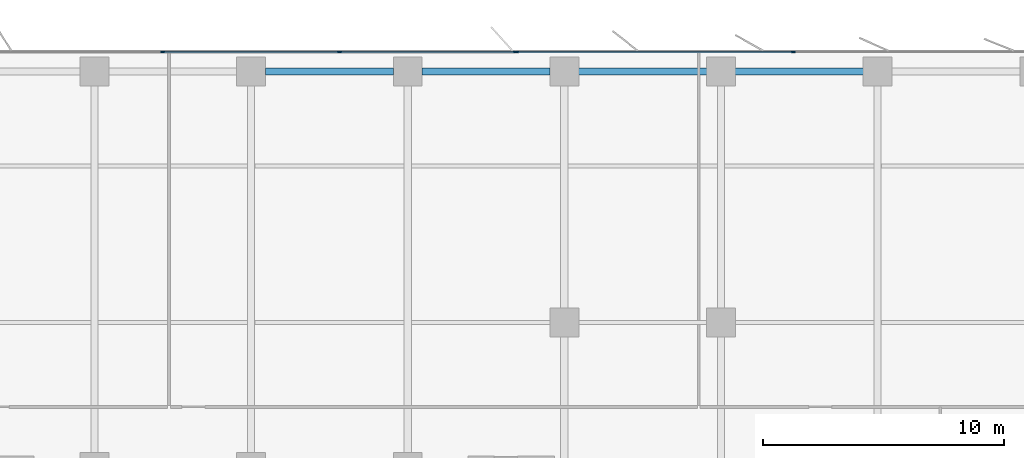
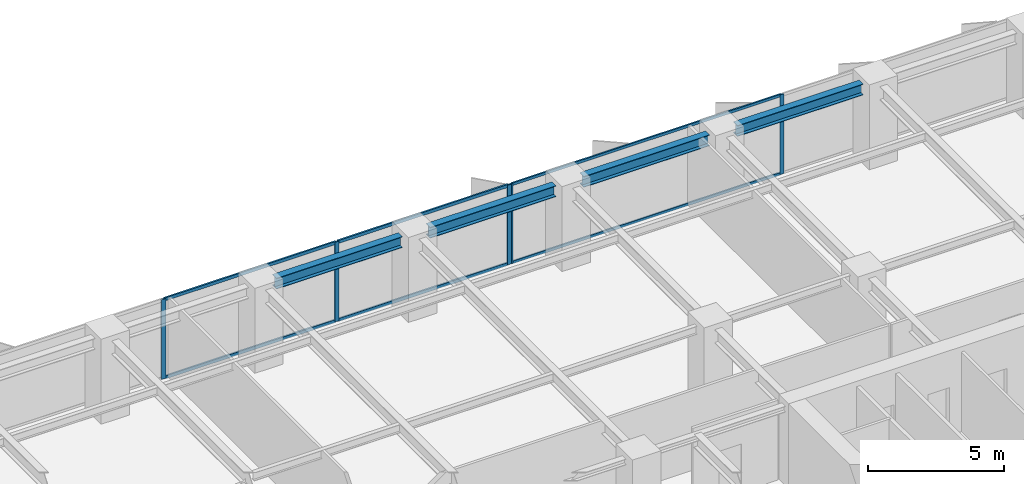
# One storey, part 9 of 20: 11 members, 4 beams, 2 elements without a shape of their own.
"""IFC4 building model written with IfcOpenShell, lengths in metres."""

import ifcopenshell
import ifcopenshell.guid

model = None  # the IFC model being written
_history = None  # IfcOwnerHistory: only IFC2X3 demands one
_inside = {}  # id of a spatial element -> (the spatial element, [elements in it])
_under = {}  # id of a project, library or spatial element -> (it, [spatial elements below it])
_declared = {}  # id of a project -> (the project, [libraries it declares])
_typed = {}  # id of a type object -> (the type object, [elements of that type])
_made_of = {}  # id of a material, layer set ... -> (it, [elements and type objects made of it])


def new_model(schema):
    """Start an empty IFC model of exactly this schema.

    Asked for "IFC4X3", IfcOpenShell would pick the latest addendum, in which some entities
    have other attributes; the version numbers below select the first issue.
    IFC2X3 requires an IfcOwnerHistory on every rooted entity: one is made here for all.
    """
    global model, _history
    if schema == "IFC4X3":
        model = ifcopenshell.file(schema_version=(4, 3, 0, 0))
    else:
        model = ifcopenshell.file(schema=schema)
    _inside.clear()
    _under.clear()
    _declared.clear()
    _typed.clear()
    _made_of.clear()
    _history = None
    if model.schema == "IFC2X3":
        org = make("IfcOrganization", Name="unknown")
        user = make(
            "IfcPersonAndOrganization",
            ThePerson=make("IfcPerson", FamilyName="unknown"),
            TheOrganization=org,
        )
        app = make(
            "IfcApplication",
            ApplicationDeveloper=org,
            Version="unknown",
            ApplicationFullName="unknown",
            ApplicationIdentifier="unknown",
        )
        _history = make(
            "IfcOwnerHistory",
            OwningUser=user,
            OwningApplication=app,
            ChangeAction="ADDED",
            CreationDate=0,
        )
    return model


def make(cls, **values):
    """One entity of the class cls with the attributes given. An attribute that is None is left unset."""
    return model.create_entity(
        cls, **{name: value for name, value in values.items() if value is not None}
    )


def rooted(cls, **values):
    """An entity with a GlobalId (a new one), such as an element, a storey or a relation."""
    return make(cls, GlobalId=ifcopenshell.guid.new(), OwnerHistory=_history, **values)


def si_unit(unit_type, name, prefix=None):
    """IfcSIUnit, for example si_unit("LENGTHUNIT", "METRE", prefix="MILLI")."""
    return make("IfcSIUnit", UnitType=unit_type, Prefix=prefix, Name=name)


def assignment(units):
    """IfcUnitAssignment: the units of a project."""
    return None if units is None else make("IfcUnitAssignment", Units=units)


def point(xyz):
    """IfcCartesianPoint."""
    return None if xyz is None else make("IfcCartesianPoint", Coordinates=xyz)


def direction(xyz):
    """IfcDirection."""
    return None if xyz is None else make("IfcDirection", DirectionRatios=xyz)


def frame(location, z_axis=None, x_axis=None):
    """IfcAxis2Placement3D, a coordinate frame: its origin and axes. An axis left out is left unset."""
    return make(
        "IfcAxis2Placement3D",
        Location=point(location),
        Axis=direction(z_axis),
        RefDirection=direction(x_axis),
    )


def frame_2d(location, x_axis=None):
    """IfcAxis2Placement2D, a coordinate frame in the plane: its origin and x axis."""
    return make(
        "IfcAxis2Placement2D", Location=point(location), RefDirection=direction(x_axis)
    )


def origin():
    """The frame at (0, 0, 0) with its axes left unset."""
    return frame((0.0, 0.0, 0.0))


def origin_2d():
    """The frame at (0, 0) in the plane with its x axis left unset."""
    return frame_2d((0.0, 0.0))


def place(relative_to, where):
    """IfcLocalPlacement: puts the frame where relative to a parent placement (None: the world)."""
    return make(
        "IfcLocalPlacement", PlacementRelTo=relative_to, RelativePlacement=where
    )


def context(
    kind, dimensions, precision=None, world=None, true_north=None, identifier=None
):
    """IfcGeometricRepresentationContext, for example the 3D "Model" context."""
    return make(
        "IfcGeometricRepresentationContext",
        ContextIdentifier=identifier,
        ContextType=kind,
        CoordinateSpaceDimension=dimensions,
        Precision=precision,
        WorldCoordinateSystem=world,
        TrueNorth=true_north,
    )


def subcontext(parent, identifier, kind, view, scale=None):
    """IfcGeometricRepresentationSubContext, for example "Body" below "Model"."""
    return make(
        "IfcGeometricRepresentationSubContext",
        ContextIdentifier=identifier,
        ContextType=kind,
        ParentContext=parent,
        TargetScale=scale,
        TargetView=view,
    )


def project(units=None, contexts=None):
    """IfcProject with its units and contexts."""
    return rooted(
        "IfcProject",
        Name="project",
        RepresentationContexts=contexts,
        UnitsInContext=assignment(units),
    )


def spatial(cls, under=None, at=None, **own):
    """A site, building, storey or space (cls), placed at a placement, below another one or the project."""
    s = rooted(cls, ObjectPlacement=at, **own)
    if under is not None:
        _under.setdefault(under.id(), (under, []))[1].append(s)
    return s


def profile(cls, at=None, kind="AREA", **sizes):
    """A parametric profile (cls). Its sizes go by their IFC names, for example OverallWidth=200.0."""
    return make(cls, ProfileType=kind, Position=at, **sizes)


def rectangle(**sizes):
    """IfcRectangleProfileDef."""
    return profile("IfcRectangleProfileDef", **sizes)


def i_section(**sizes):
    """IfcIShapeProfileDef."""
    return profile("IfcIShapeProfileDef", **sizes)


def extrude(swept, where, along, depth):
    """IfcExtrudedAreaSolid: the profile swept, set in the frame where, extruded along a direction by depth."""
    return make(
        "IfcExtrudedAreaSolid",
        SweptArea=swept,
        Position=where,
        ExtrudedDirection=direction(along),
        Depth=depth,
    )


def shape(context_of_items, identifier, shape_type, items):
    """IfcShapeRepresentation: the items that make up one representation, for example the "Body"."""
    return make(
        "IfcShapeRepresentation",
        ContextOfItems=context_of_items,
        RepresentationIdentifier=identifier,
        RepresentationType=shape_type,
        Items=items,
    )


def material(Name=None, Category=None):
    """IfcMaterial."""
    return make("IfcMaterial", Name=Name, Category=Category)


def layer(
    of_material, thickness, ventilated=None, Name=None, Category=None, Priority=None
):
    """IfcMaterialLayer: one layer of a wall or slab, of a material (None: an air gap)."""
    return make(
        "IfcMaterialLayer",
        Material=of_material,
        LayerThickness=thickness,
        IsVentilated=ventilated,
        Name=Name,
        Category=Category,
        Priority=Priority,
    )


def layer_set(layers, Name=None):
    """IfcMaterialLayerSet."""
    return make("IfcMaterialLayerSet", MaterialLayers=layers, LayerSetName=Name)


def material_profile(
    of_material, cross_section, Name=None, Category=None, Priority=None
):
    """IfcMaterialProfile: a cross section and its material."""
    return make(
        "IfcMaterialProfile",
        Name=Name,
        Material=of_material,
        Profile=cross_section,
        Priority=Priority,
        Category=Category,
    )


def profile_set(profiles, Name=None, composite=None):
    """IfcMaterialProfileSet."""
    return make(
        "IfcMaterialProfileSet",
        Name=Name,
        MaterialProfiles=profiles,
        CompositeProfile=composite,
    )


def made_of(thing, what):
    """Note that an element or type object is made of a material, layer set ...; save() writes the relation."""
    if what is not None:
        _made_of.setdefault(what.id(), (what, []))[1].append(thing)
    return thing


def type_object(cls, material=None, **own):
    """A type object (cls), such as IfcWallType, which elements share."""
    return made_of(rooted(cls, **own), material)


def element(
    cls,
    number,
    at=None,
    inside=None,
    cuts=None,
    type_object=None,
    material=None,
    context=None,
    identifier="Body",
    shape_type=None,
    held_by="IfcProductDefinitionShape",
    body=None,
    shapes=None,
    **own,
):
    """One element of the class cls, such as IfcWall. Its Tag is "e" and its number.

    at: its placement. inside: the storey or other place that contains it. cuts: it is an
    opening in that element (IfcRelVoidsElement). A single representation is given by context,
    identifier, shape_type and body (its items); several are given by shapes. held_by: the class
    of the entity that holds the representations. save() writes the other relations.
    """
    e = rooted(cls, Tag="e%d" % number, ObjectPlacement=at, **own)
    if body is not None:
        shapes = [shape(context, identifier, shape_type, body)]
    if shapes is not None:
        e.Representation = make(held_by, Representations=shapes)
    if inside is not None:
        _inside.setdefault(inside.id(), (inside, []))[1].append(e)
    if cuts is not None:
        rooted(
            "IfcRelVoidsElement", RelatingBuildingElement=cuts, RelatedOpeningElement=e
        )
    if type_object is not None:
        _typed.setdefault(type_object.id(), (type_object, []))[1].append(e)
    return made_of(e, material)


def aggregate(whole, parts):
    """IfcRelAggregates: a whole, such as a stair, and the parts it consists of."""
    return rooted("IfcRelAggregates", RelatingObject=whole, RelatedObjects=parts)


def save(model, path):
    """Write the relations noted so far, then the file.

    IfcRelAggregates (storeys below a building ...), IfcRelContainedInSpatialStructure (elements
    in a storey), IfcRelDefinesByType, IfcRelAssociatesMaterial and IfcRelDeclares: one each for
    every whole, place, type object, material and project.
    """
    for whole, parts in _under.values():
        aggregate(whole, parts)
    for where, things in _inside.values():
        rooted(
            "IfcRelContainedInSpatialStructure",
            RelatedElements=things,
            RelatingStructure=where,
        )
    for kind, things in _typed.values():
        rooted("IfcRelDefinesByType", RelatedObjects=things, RelatingType=kind)
    for what, things in _made_of.values():
        rooted("IfcRelAssociatesMaterial", RelatedObjects=things, RelatingMaterial=what)
    for by, libraries in _declared.values():
        rooted("IfcRelDeclares", RelatingContext=by, RelatedDefinitions=libraries)
    model.write(path)


model = new_model("IFC4")

# Units and contexts
model_context = context("Model", 3, precision=1e-05, world=origin(), true_north=direction((0.0, 1.0)))
body_context = subcontext(model_context, "Body", "Model", "MODEL_VIEW")
ifc_project = project(units=[si_unit("LENGTHUNIT", "METRE"), si_unit("AREAUNIT", "SQUARE_METRE"), si_unit("VOLUMEUNIT", "CUBIC_METRE"), si_unit("PLANEANGLEUNIT", "RADIAN"), si_unit("MASSUNIT", "GRAM", prefix="KILO")], contexts=[model_context])

# Site, building, storey
site_placement = place(None, origin())
site = spatial("IfcSite", under=ifc_project, at=site_placement, CompositionType="ELEMENT")
building_placement = place(site_placement, origin())
building = spatial("IfcBuilding", under=site, at=building_placement, Name="Putna Gate Headquarters", CompositionType="ELEMENT")
storey_placement = place(building_placement, frame((0.0, 0.0, 101.199951171875)))
storey = spatial("IfcBuildingStorey", under=building, at=storey_placement, Name="L24", CompositionType="ELEMENT", Elevation=101.199951171875)

# Beams
ifc_material_1 = material(Name="Steel S355J2", Category="steel")
ifc_material_profile_1 = material_profile(ifc_material_1, i_section(OverallWidth=0.300048828125, OverallDepth=0.489990234375, WebThickness=0.011962890625, FlangeThickness=0.02294921875, at=origin_2d()), Name="Steel S355J2")
ifc_profile_set_1 = profile_set([ifc_material_profile_1], Name="Steel S355J2")
beam_type = type_object("IfcBeamType", Name="BM-SPAN-Z2-HEA500", PredefinedType="SPANDREL", material=ifc_profile_set_1)
for number, where, z_axis, x_axis, name in (
    (1, (39.587890625, 49.419921875, 3.320068359375), (1.0, 0.0, 0.0), (0.0, 1.0, 0.0), "L24 N Perimeter Spandrel 6"),
    (2, (46.087890625, 49.419921875, 3.320068359375), (1.0, 0.0, 0.0), (0.0, 1.0, 0.0), "L24 N Perimeter Spandrel 7"),
    (3, (52.587890625, 49.419921875, 3.320068359375), (1.0, 0.0, 0.0), (0.0, 1.0, 0.0), "L24 N Perimeter Spandrel 8"),
    (4, (59.087890625, 49.419921875, 3.320068359375), (1.0, 0.0, 0.0), (0.0, 1.0, 0.0), "L24 N Perimeter Spandrel 9"),
):
    element("IfcBeam", number, at=place(storey_placement, frame(where, z_axis=z_axis, x_axis=x_axis)), inside=storey, type_object=beam_type, Name=name, PredefinedType="SPANDREL", context=body_context, shape_type="SweptSolid", body=[
        extrude(i_section(OverallWidth=0.300048828125, OverallDepth=0.489990234375, WebThickness=0.011962890625, FlangeThickness=0.02294921875, at=origin_2d()), origin(), (0.0, 0.0, 1.0), 5.32421875),
    ])

# Curtain wall, members
ifc_material_2 = material(Name="Anodised bronze aluminium curtain wall", Category="aluminium")
ifc_layer_1 = layer(ifc_material_2, 0.159912109375)
ifc_layer_set_1 = layer_set([ifc_layer_1], Name="Anodised bronze aluminium curtain wall")
curtain_wall_type_1 = type_object("IfcCurtainWallType", Name="CW-SYS-Z2", PredefinedType="USERDEFINED", material=ifc_layer_set_1)
curtain_wall_1_placement = place(storey_placement, origin())
curtain_wall_1 = element("IfcCurtainWall", 5, at=curtain_wall_1_placement, inside=storey, type_object=curtain_wall_type_1, Name="L24 North East Curtain Wall", ObjectType="STICK CURTAIN WALL", PredefinedType="USERDEFINED")
ifc_material_3 = material(Name="Anodised bronze aluminium EN AW-6060", Category="aluminium")
ifc_material_profile_2 = material_profile(ifc_material_3, rectangle(XDim=0.06494140625, YDim=0.159912109375, at=origin_2d()), Name="Anodised bronze aluminium EN AW-6060")
ifc_profile_set_2 = profile_set([ifc_material_profile_2], Name="Anodised bronze aluminium EN AW-6060")
member_type_1 = type_object("IfcMemberType", Name="MULL-CWM-2", PredefinedType="MULLION", material=ifc_profile_set_2)
member_1_placement = place(storey_placement, frame((50.032470703125, 50.219970703125, 0.0), z_axis=(0.0, 0.0, 1.0), x_axis=(0.0, 1.0, 0.0)))
member_1 = element("IfcMember", 6, at=member_1_placement, type_object=member_type_1, Name="CWS-2 mullion 1", PredefinedType="MULLION", context=body_context, shape_type="SweptSolid", body=[
    extrude(rectangle(XDim=0.06494140625, YDim=0.159912109375, at=origin_2d()), origin(), (0.0, 0.0, 1.0), 3.56494140625),
])
member_2_placement = place(storey_placement, frame((61.5, 50.219970703125, 0.0), z_axis=(0.0, 0.0, 1.0), x_axis=(0.0, 1.0, 0.0)))
member_2 = element("IfcMember", 7, at=member_2_placement, type_object=member_type_1, Name="CWS-2 mullion 2", PredefinedType="MULLION", context=body_context, shape_type="SweptSolid", body=[
    extrude(rectangle(XDim=0.06494140625, YDim=0.159912109375, at=origin_2d()), origin(), (0.0, 0.0, 1.0), 3.56494140625),
])

ifc_layer_2 = layer(ifc_material_2, 0.179931640625)
ifc_layer_set_2 = layer_set([ifc_layer_2], Name="Anodised bronze aluminium curtain wall")
curtain_wall_type_2 = type_object("IfcCurtainWallType", Name="CW-SYS-ATR", PredefinedType="USERDEFINED", material=ifc_layer_set_2)
curtain_wall_2_placement = place(storey_placement, origin())
curtain_wall_2 = element("IfcCurtainWall", 8, at=curtain_wall_2_placement, inside=storey, type_object=curtain_wall_type_2, Name="L24 North Atrium Clear Glazing", ObjectType="ATRIUM GLAZING", PredefinedType="USERDEFINED")
ifc_material_profile_3 = material_profile(ifc_material_3, rectangle(XDim=0.070068359375, YDim=0.179931640625, at=origin_2d()), Name="Anodised bronze aluminium EN AW-6060")
ifc_profile_set_3 = profile_set([ifc_material_profile_3], Name="Anodised bronze aluminium EN AW-6060")
member_type_2 = type_object("IfcMemberType", Name="MULL-CWM-AT", PredefinedType="MULLION", material=ifc_profile_set_3)
member_3_placement = place(storey_placement, frame((35.333251953125, 50.219970703125, 0.0), z_axis=(0.0, 0.0, 1.0), x_axis=(0.0, 1.0, 0.0)))
member_3 = element("IfcMember", 9, at=member_3_placement, type_object=member_type_2, Name="CWS-AT mullion 2", PredefinedType="MULLION", context=body_context, shape_type="SweptSolid", body=[
    extrude(rectangle(XDim=0.070068359375, YDim=0.179931640625, at=origin_2d()), origin(), (0.0, 0.0, 1.0), 3.56494140625),
])
member_4_placement = place(storey_placement, frame((42.666748046875, 50.219970703125, 0.0), z_axis=(0.0, 0.0, 1.0), x_axis=(0.0, 1.0, 0.0)))
member_4 = element("IfcMember", 10, at=member_4_placement, type_object=member_type_2, Name="CWS-AT mullion 3", PredefinedType="MULLION", context=body_context, shape_type="SweptSolid", body=[
    extrude(rectangle(XDim=0.070068359375, YDim=0.179931640625, at=origin_2d()), origin(), (0.0, 0.0, 1.0), 3.56494140625),
])
member_5_placement = place(storey_placement, frame((49.965087890625, 50.219970703125, 0.0), z_axis=(0.0, 0.0, 1.0), x_axis=(0.0, 1.0, 0.0)))
member_5 = element("IfcMember", 11, at=member_5_placement, type_object=member_type_2, Name="CWS-AT mullion 4", PredefinedType="MULLION", context=body_context, shape_type="SweptSolid", body=[
    extrude(rectangle(XDim=0.070068359375, YDim=0.179931640625, at=origin_2d()), origin(), (0.0, 0.0, 1.0), 3.56494140625),
])

# Member
ifc_material_profile_4 = material_profile(ifc_material_3, rectangle(XDim=0.06494140625, YDim=0.1201171875, at=origin_2d()), Name="Anodised bronze aluminium EN AW-6060")
ifc_profile_set_4 = profile_set([ifc_material_profile_4], Name="Anodised bronze aluminium EN AW-6060")
member_type_3 = type_object("IfcMemberType", Name="TRAN-CWT-2", PredefinedType="USERDEFINED", material=ifc_profile_set_4)
member_6_placement = place(storey_placement, frame((50.06494140625, 50.219970703125, 0.032470703125), z_axis=(1.0, 0.0, 0.0), x_axis=(0.0, 1.0, 0.0)))
member_6 = element("IfcMember", 12, at=member_6_placement, type_object=member_type_3, Name="CWS-2 transom 1.1", ObjectType="TRANSOM", PredefinedType="USERDEFINED", context=body_context, shape_type="SweptSolid", body=[
    extrude(rectangle(XDim=0.06494140625, YDim=0.1201171875, at=origin_2d()), origin(), (0.0, 0.0, 1.0), 11.402587890625),
])

member_7_placement = place(storey_placement, frame((50.06494140625, 50.219970703125, 3.532470703125), z_axis=(1.0, 0.0, 0.0), x_axis=(0.0, 1.0, 0.0)))
member_7 = element("IfcMember", 13, at=member_7_placement, type_object=member_type_3, Name="CWS-2 transom 1.2", ObjectType="TRANSOM", PredefinedType="USERDEFINED", context=body_context, shape_type="SweptSolid", body=[
    extrude(rectangle(XDim=0.06494140625, YDim=0.1201171875, at=origin_2d()), origin(), (0.0, 0.0, 1.0), 11.402587890625),
])

aggregate(curtain_wall_1, [member_1, member_2, member_6, member_7])

ifc_material_profile_5 = material_profile(ifc_material_3, rectangle(XDim=0.070068359375, YDim=0.139892578125, at=origin_2d()), Name="Anodised bronze aluminium EN AW-6060")
ifc_profile_set_5 = profile_set([ifc_material_profile_5], Name="Anodised bronze aluminium EN AW-6060")
member_type_4 = type_object("IfcMemberType", Name="TRAN-CWT-AT", PredefinedType="USERDEFINED", material=ifc_profile_set_5)
member_8_placement = place(storey_placement, frame((35.368408203125, 50.219970703125, 0.03515625), z_axis=(1.0, 0.0, 0.0), x_axis=(0.0, 1.0, 0.0)))
member_8 = element("IfcMember", 14, at=member_8_placement, type_object=member_type_4, Name="CWS-AT transom 2.1", ObjectType="TRANSOM", PredefinedType="USERDEFINED", context=body_context, shape_type="SweptSolid", body=[
    extrude(rectangle(XDim=0.070068359375, YDim=0.139892578125, at=origin_2d()), origin(), (0.0, 0.0, 1.0), 7.26318359375),
])

member_9_placement = place(storey_placement, frame((35.368408203125, 50.219970703125, 3.530029296875), z_axis=(1.0, 0.0, 0.0), x_axis=(0.0, 1.0, 0.0)))
member_9 = element("IfcMember", 15, at=member_9_placement, type_object=member_type_4, Name="CWS-AT transom 2.2", ObjectType="TRANSOM", PredefinedType="USERDEFINED", context=body_context, shape_type="SweptSolid", body=[
    extrude(rectangle(XDim=0.070068359375, YDim=0.139892578125, at=origin_2d()), origin(), (0.0, 0.0, 1.0), 7.26318359375),
])

member_10_placement = place(storey_placement, frame((42.70166015625, 50.219970703125, 0.03515625), z_axis=(1.0, 0.0, 0.0), x_axis=(0.0, 1.0, 0.0)))
member_10 = element("IfcMember", 16, at=member_10_placement, type_object=member_type_4, Name="CWS-AT transom 3.1", ObjectType="TRANSOM", PredefinedType="USERDEFINED", context=body_context, shape_type="SweptSolid", body=[
    extrude(rectangle(XDim=0.070068359375, YDim=0.139892578125, at=origin_2d()), origin(), (0.0, 0.0, 1.0), 7.228271484375),
])

member_11_placement = place(storey_placement, frame((42.70166015625, 50.219970703125, 3.530029296875), z_axis=(1.0, 0.0, 0.0), x_axis=(0.0, 1.0, 0.0)))
member_11 = element("IfcMember", 17, at=member_11_placement, type_object=member_type_4, Name="CWS-AT transom 3.2", ObjectType="TRANSOM", PredefinedType="USERDEFINED", context=body_context, shape_type="SweptSolid", body=[
    extrude(rectangle(XDim=0.070068359375, YDim=0.139892578125, at=origin_2d()), origin(), (0.0, 0.0, 1.0), 7.228271484375),
])

aggregate(curtain_wall_2, [member_3, member_4, member_5, member_8, member_9, member_10, member_11])

save(model, "model.ifc")
